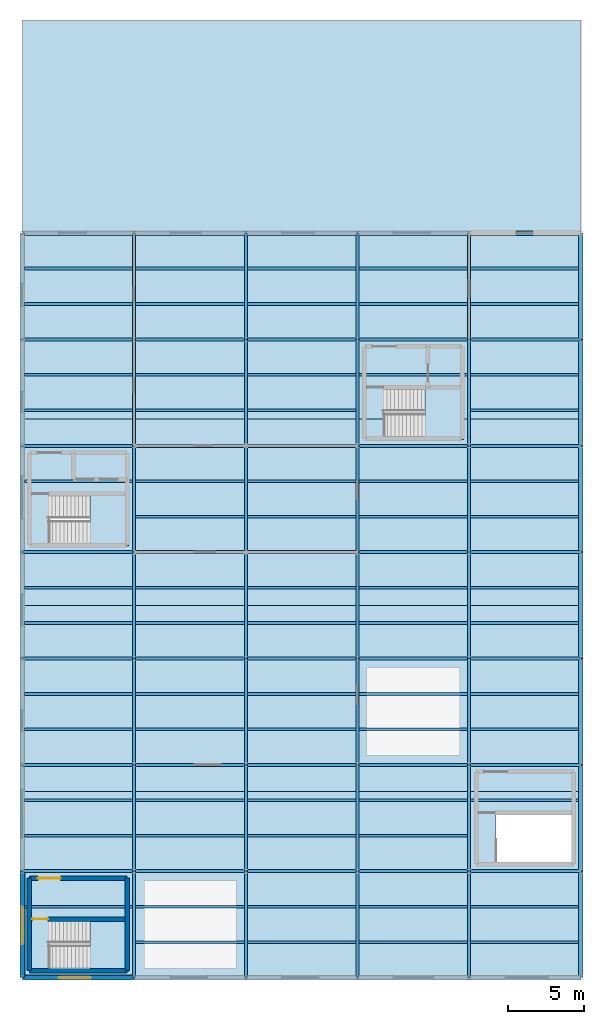
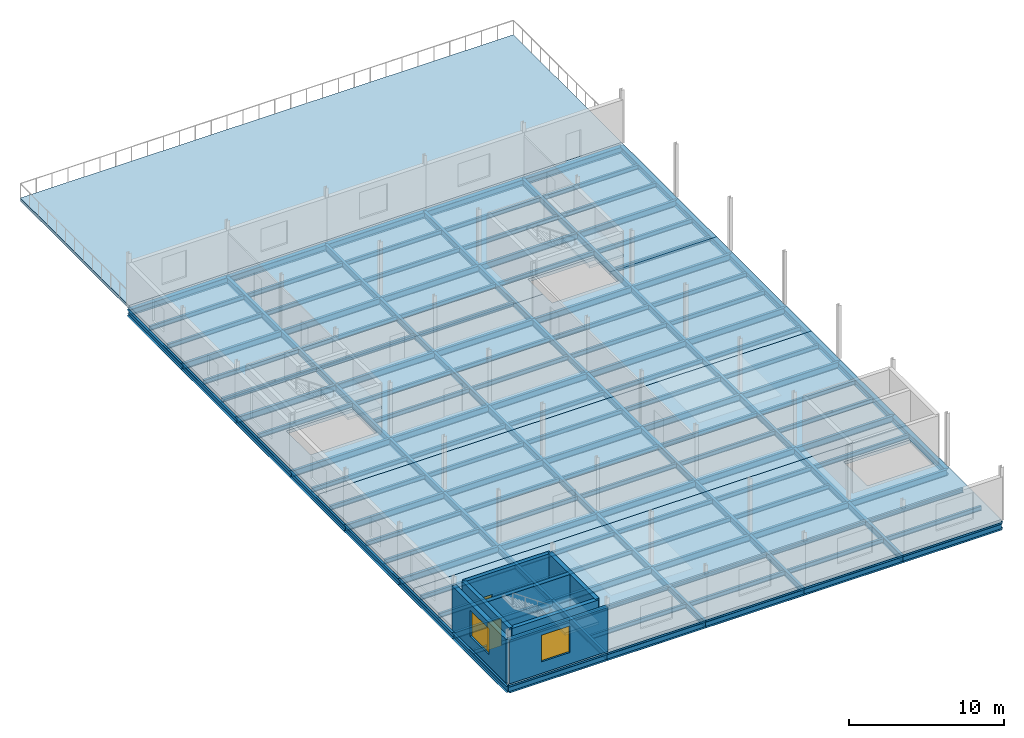
# One storey, part 6 of 9: 148 beams, 8 slabs, 7 walls, 2 doors, 2 windows, 4 openings, 3 elements without a shape of their own.
"""IFC4 building model written with IfcOpenShell, lengths in metres."""

from ifc_helpers import new_model, si_unit, direction, frame, frame_2d, origin, origin_with_axes, origin_2d, place, context, subcontext, project, spatial, polyline, rectangle, i_section, outline, extrude, material, layer, layer_set, material_profile, profile_set, type_object, element, fill, aggregate, save


model = new_model("IFC4")

# Units and contexts
model_context = context("Model", 3, precision=1e-05, world=origin(), true_north=direction((0.0, 1.0)))
body_context = subcontext(model_context, "Body", "Model", "MODEL_VIEW")
ifc_project = project(units=[si_unit("LENGTHUNIT", "METRE"), si_unit("AREAUNIT", "SQUARE_METRE"), si_unit("VOLUMEUNIT", "CUBIC_METRE"), si_unit("PLANEANGLEUNIT", "RADIAN"), si_unit("MASSUNIT", "GRAM", prefix="KILO")], contexts=[model_context])

# Site, building, storey
site_placement = place(None, origin())
site = spatial("IfcSite", under=ifc_project, at=site_placement, CompositionType="ELEMENT")
building_placement = place(site_placement, origin())
building = spatial("IfcBuilding", under=site, at=building_placement, Name="Kazenagashi Tramway Depot", CompositionType="ELEMENT")
storey_placement = place(building_placement, frame((0.0, 0.0, 15.3)))
storey = spatial("IfcBuildingStorey", under=building, at=storey_placement, Name="L04", CompositionType="ELEMENT", Elevation=15.3)

# Beams
ifc_material_1 = material(Name="Steel SN490B", Category="steel")
ifc_material_profile_1 = material_profile(ifc_material_1, i_section(OverallWidth=0.199, OverallDepth=0.496, WebThickness=0.009, FlangeThickness=0.014, at=origin_2d()), Name="H-496x199x9x14")
ifc_profile_set_1 = profile_set([ifc_material_profile_1], Name="Steel SN490B")
beam_type_1 = type_object("IfcBeamType", Name="G-10", PredefinedType="BEAM", material=ifc_profile_set_1)
for number, where, z_axis, x_axis, name in (
    (1, (0.0, 7.0, -0.498), (1.0, 0.0, 0.0), (0.0, 1.0, 0.0), "Beam G-10 BM-0413"),
    (2, (7.35, 7.0, -0.498), (1.0, 0.0, 0.0), (0.0, 1.0, 0.0), "Beam G-10 BM-0414"),
    (3, (14.7, 7.0, -0.498), (1.0, 0.0, 0.0), (0.0, 1.0, 0.0), "Beam G-10 BM-0415"),
    (4, (22.05, 7.0, -0.498), (1.0, 0.0, 0.0), (0.0, 1.0, 0.0), "Beam G-10 BM-0416"),
    (5, (29.4, 7.0, -0.498), (1.0, 0.0, 0.0), (0.0, 1.0, 0.0), "Beam G-10 BM-0417"),
    (6, (0.0, 14.0, -0.498), (1.0, 0.0, 0.0), (0.0, 1.0, 0.0), "Beam G-10 BM-0418"),
    (7, (7.35, 14.0, -0.498), (1.0, 0.0, 0.0), (0.0, 1.0, 0.0), "Beam G-10 BM-0419"),
    (8, (14.7, 14.0, -0.498), (1.0, 0.0, 0.0), (0.0, 1.0, 0.0), "Beam G-10 BM-0420"),
    (9, (22.05, 14.0, -0.498), (1.0, 0.0, 0.0), (0.0, 1.0, 0.0), "Beam G-10 BM-0421"),
    (10, (29.4, 14.0, -0.498), (1.0, 0.0, 0.0), (0.0, 1.0, 0.0), "Beam G-10 BM-0422"),
    (11, (0.0, 21.0, -0.498), (1.0, 0.0, 0.0), (0.0, 1.0, 0.0), "Beam G-10 BM-0423"),
    (12, (7.35, 21.0, -0.498), (1.0, 0.0, 0.0), (0.0, 1.0, 0.0), "Beam G-10 BM-0424"),
    (13, (14.7, 21.0, -0.498), (1.0, 0.0, 0.0), (0.0, 1.0, 0.0), "Beam G-10 BM-0425"),
    (14, (22.05, 21.0, -0.498), (1.0, 0.0, 0.0), (0.0, 1.0, 0.0), "Beam G-10 BM-0426"),
    (15, (29.4, 21.0, -0.498), (1.0, 0.0, 0.0), (0.0, 1.0, 0.0), "Beam G-10 BM-0427"),
    (16, (0.0, 28.0, -0.498), (1.0, 0.0, 0.0), (0.0, 1.0, 0.0), "Beam G-10 BM-0428"),
    (17, (7.35, 28.0, -0.498), (1.0, 0.0, 0.0), (0.0, 1.0, 0.0), "Beam G-10 BM-0429"),
    (18, (14.7, 28.0, -0.498), (1.0, 0.0, 0.0), (0.0, 1.0, 0.0), "Beam G-10 BM-0430"),
    (19, (22.05, 28.0, -0.498), (1.0, 0.0, 0.0), (0.0, 1.0, 0.0), "Beam G-10 BM-0431"),
    (20, (29.4, 28.0, -0.498), (1.0, 0.0, 0.0), (0.0, 1.0, 0.0), "Beam G-10 BM-0432"),
    (21, (0.0, 35.0, -0.498), (1.0, 0.0, 0.0), (0.0, 1.0, 0.0), "Beam G-10 BM-0433"),
    (22, (7.35, 35.0, -0.498), (1.0, 0.0, 0.0), (0.0, 1.0, 0.0), "Beam G-10 BM-0434"),
    (23, (14.7, 35.0, -0.498), (1.0, 0.0, 0.0), (0.0, 1.0, 0.0), "Beam G-10 BM-0435"),
    (24, (22.05, 35.0, -0.498), (1.0, 0.0, 0.0), (0.0, 1.0, 0.0), "Beam G-10 BM-0436"),
    (25, (29.4, 35.0, -0.498), (1.0, 0.0, 0.0), (0.0, 1.0, 0.0), "Beam G-10 BM-0437"),
    (26, (0.0, 42.0, -0.498), (1.0, 0.0, 0.0), (0.0, 1.0, 0.0), "Beam G-10 BM-0438"),
    (27, (7.35, 42.0, -0.498), (1.0, 0.0, 0.0), (0.0, 1.0, 0.0), "Beam G-10 BM-0439"),
    (28, (14.7, 42.0, -0.498), (1.0, 0.0, 0.0), (0.0, 1.0, 0.0), "Beam G-10 BM-0440"),
    (29, (22.05, 42.0, -0.498), (1.0, 0.0, 0.0), (0.0, 1.0, 0.0), "Beam G-10 BM-0441"),
    (30, (29.4, 42.0, -0.498), (1.0, 0.0, 0.0), (0.0, 1.0, 0.0), "Beam G-10 BM-0442"),
):
    element("IfcBeam", number, at=place(storey_placement, frame(where, z_axis=z_axis, x_axis=x_axis)), inside=storey, type_object=beam_type_1, Name=name, PredefinedType="BEAM", context=body_context, shape_type="SweptSolid", body=[
        extrude(i_section(OverallWidth=0.199, OverallDepth=0.496, WebThickness=0.009, FlangeThickness=0.014, at=origin_2d()), origin(), (0.0, 0.0, 1.0), 7.35),
    ])
for number, where, z_axis, x_axis, name in (
    (31, (7.35, 0.0, -0.498), (0.0, 1.0, 0.0), (-1.0, 0.0, 0.0), "Beam G-10 BM-0467"),
    (32, (7.35, 7.0, -0.498), (0.0, 1.0, 0.0), (-1.0, 0.0, 0.0), "Beam G-10 BM-0470"),
    (33, (7.35, 14.0, -0.498), (0.0, 1.0, 0.0), (-1.0, 0.0, 0.0), "Beam G-10 BM-0473"),
    (34, (7.35, 21.0, -0.498), (0.0, 1.0, 0.0), (-1.0, 0.0, 0.0), "Beam G-10 BM-0476"),
    (35, (7.35, 28.0, -0.498), (0.0, 1.0, 0.0), (-1.0, 0.0, 0.0), "Beam G-10 BM-0479"),
    (36, (7.35, 35.0, -0.498), (0.0, 1.0, 0.0), (-1.0, 0.0, 0.0), "Beam G-10 BM-0482"),
    (37, (7.35, 42.0, -0.498), (0.0, 1.0, 0.0), (-1.0, 0.0, 0.0), "Beam G-10 BM-0485"),
    (38, (14.7, 0.0, -0.498), (0.0, 1.0, 0.0), (-1.0, 0.0, 0.0), "Beam G-10 BM-0488"),
    (39, (14.7, 7.0, -0.498), (0.0, 1.0, 0.0), (-1.0, 0.0, 0.0), "Beam G-10 BM-0491"),
    (40, (14.7, 14.0, -0.498), (0.0, 1.0, 0.0), (-1.0, 0.0, 0.0), "Beam G-10 BM-0494"),
    (41, (14.7, 21.0, -0.498), (0.0, 1.0, 0.0), (-1.0, 0.0, 0.0), "Beam G-10 BM-0497"),
    (42, (14.7, 28.0, -0.498), (0.0, 1.0, 0.0), (-1.0, 0.0, 0.0), "Beam G-10 BM-0500"),
    (43, (14.7, 35.0, -0.498), (0.0, 1.0, 0.0), (-1.0, 0.0, 0.0), "Beam G-10 BM-0503"),
    (44, (14.7, 42.0, -0.498), (0.0, 1.0, 0.0), (-1.0, 0.0, 0.0), "Beam G-10 BM-0506"),
    (45, (22.05, 0.0, -0.498), (0.0, 1.0, 0.0), (-1.0, 0.0, 0.0), "Beam G-10 BM-0509"),
    (46, (22.05, 7.0, -0.498), (0.0, 1.0, 0.0), (-1.0, 0.0, 0.0), "Beam G-10 BM-0512"),
    (47, (22.05, 14.0, -0.498), (0.0, 1.0, 0.0), (-1.0, 0.0, 0.0), "Beam G-10 BM-0515"),
    (48, (22.05, 21.0, -0.498), (0.0, 1.0, 0.0), (-1.0, 0.0, 0.0), "Beam G-10 BM-0518"),
    (49, (22.05, 28.0, -0.498), (0.0, 1.0, 0.0), (-1.0, 0.0, 0.0), "Beam G-10 BM-0521"),
    (50, (22.05, 35.0, -0.498), (0.0, 1.0, 0.0), (-1.0, 0.0, 0.0), "Beam G-10 BM-0524"),
    (51, (22.05, 42.0, -0.498), (0.0, 1.0, 0.0), (-1.0, 0.0, 0.0), "Beam G-10 BM-0526"),
    (52, (29.4, 0.0, -0.498), (0.0, 1.0, 0.0), (-1.0, 0.0, 0.0), "Beam G-10 BM-0529"),
    (53, (29.4, 7.0, -0.498), (0.0, 1.0, 0.0), (-1.0, 0.0, 0.0), "Beam G-10 BM-0532"),
    (54, (29.4, 14.0, -0.498), (0.0, 1.0, 0.0), (-1.0, 0.0, 0.0), "Beam G-10 BM-0534"),
    (55, (29.4, 21.0, -0.498), (0.0, 1.0, 0.0), (-1.0, 0.0, 0.0), "Beam G-10 BM-0537"),
    (56, (29.4, 28.0, -0.498), (0.0, 1.0, 0.0), (-1.0, 0.0, 0.0), "Beam G-10 BM-0540"),
    (57, (29.4, 35.0, -0.498), (0.0, 1.0, 0.0), (-1.0, 0.0, 0.0), "Beam G-10 BM-0543"),
    (58, (29.4, 42.0, -0.498), (0.0, 1.0, 0.0), (-1.0, 0.0, 0.0), "Beam G-10 BM-0546"),
):
    element("IfcBeam", number, at=place(storey_placement, frame(where, z_axis=z_axis, x_axis=x_axis)), inside=storey, type_object=beam_type_1, Name=name, PredefinedType="BEAM", context=body_context, shape_type="SweptSolid", body=[
        extrude(i_section(OverallWidth=0.199, OverallDepth=0.496, WebThickness=0.009, FlangeThickness=0.014, at=origin_2d()), origin(), (0.0, 0.0, 1.0), 7.0),
    ])
ifc_material_2 = material(Name="Steel SN400B", Category="steel")
ifc_material_profile_2 = material_profile(ifc_material_2, i_section(OverallWidth=0.174, OverallDepth=0.346, WebThickness=0.006, FlangeThickness=0.009, at=origin_2d()), Name="H-346x174x6x9")
ifc_profile_set_2 = profile_set([ifc_material_profile_2], Name="Steel SN400B")
beam_type_2 = type_object("IfcBeamType", Name="J-06", PredefinedType="JOIST", material=ifc_profile_set_2)
for number, where, z_axis, x_axis, name in (
    (59, (0.15, 4.667, -0.423), (1.0, 0.0, 0.0), (0.0, 1.0, 0.0), "Beam J-06 BM-0449"),
    (60, (0.15, 9.333, -0.423), (1.0, 0.0, 0.0), (0.0, 1.0, 0.0), "Beam J-06 BM-0451"),
    (61, (0.15, 11.667, -0.423), (1.0, 0.0, 0.0), (0.0, 1.0, 0.0), "Beam J-06 BM-0452"),
    (62, (0.15, 16.333, -0.423), (1.0, 0.0, 0.0), (0.0, 1.0, 0.0), "Beam J-06 BM-0454"),
    (63, (0.15, 18.667, -0.423), (1.0, 0.0, 0.0), (0.0, 1.0, 0.0), "Beam J-06 BM-0455"),
    (64, (0.15, 23.333, -0.423), (1.0, 0.0, 0.0), (0.0, 1.0, 0.0), "Beam J-06 BM-0457"),
    (65, (0.15, 25.667, -0.423), (1.0, 0.0, 0.0), (0.0, 1.0, 0.0), "Beam J-06 BM-0458"),
    (66, (0.15, 32.667, -0.423), (1.0, 0.0, 0.0), (0.0, 1.0, 0.0), "Beam J-06 BM-0460"),
    (67, (0.15, 37.333, -0.423), (1.0, 0.0, 0.0), (0.0, 1.0, 0.0), "Beam J-06 BM-0462"),
    (68, (0.15, 39.667, -0.423), (1.0, 0.0, 0.0), (0.0, 1.0, 0.0), "Beam J-06 BM-0463"),
    (69, (0.15, 44.333, -0.423), (1.0, 0.0, 0.0), (0.0, 1.0, 0.0), "Beam J-06 BM-0465"),
    (70, (0.15, 46.667, -0.423), (1.0, 0.0, 0.0), (0.0, 1.0, 0.0), "Beam J-06 BM-0466"),
):
    element("IfcBeam", number, at=place(storey_placement, frame(where, z_axis=z_axis, x_axis=x_axis)), inside=storey, type_object=beam_type_2, Name=name, PredefinedType="JOIST", context=body_context, shape_type="SweptSolid", body=[
        extrude(i_section(OverallWidth=0.174, OverallDepth=0.346, WebThickness=0.006, FlangeThickness=0.009, at=origin_2d()), origin(), (0.0, 0.0, 1.0), 7.101),
    ])
for number, where, z_axis, x_axis, name in (
    (71, (7.449, 2.333, -0.423), (1.0, 0.0, 0.0), (0.0, 1.0, 0.0), "Beam J-06 BM-0468"),
    (72, (7.449, 4.667, -0.423), (1.0, 0.0, 0.0), (0.0, 1.0, 0.0), "Beam J-06 BM-0469"),
    (73, (7.449, 9.333, -0.423), (1.0, 0.0, 0.0), (0.0, 1.0, 0.0), "Beam J-06 BM-0471"),
    (74, (7.449, 11.667, -0.423), (1.0, 0.0, 0.0), (0.0, 1.0, 0.0), "Beam J-06 BM-0472"),
    (75, (7.449, 16.333, -0.423), (1.0, 0.0, 0.0), (0.0, 1.0, 0.0), "Beam J-06 BM-0474"),
    (76, (7.449, 18.667, -0.423), (1.0, 0.0, 0.0), (0.0, 1.0, 0.0), "Beam J-06 BM-0475"),
    (77, (7.449, 23.333, -0.423), (1.0, 0.0, 0.0), (0.0, 1.0, 0.0), "Beam J-06 BM-0477"),
    (78, (7.449, 25.667, -0.423), (1.0, 0.0, 0.0), (0.0, 1.0, 0.0), "Beam J-06 BM-0478"),
    (79, (7.449, 30.333, -0.423), (1.0, 0.0, 0.0), (0.0, 1.0, 0.0), "Beam J-06 BM-0480"),
    (80, (7.449, 32.667, -0.423), (1.0, 0.0, 0.0), (0.0, 1.0, 0.0), "Beam J-06 BM-0481"),
    (81, (7.449, 37.333, -0.423), (1.0, 0.0, 0.0), (0.0, 1.0, 0.0), "Beam J-06 BM-0483"),
    (82, (7.449, 39.667, -0.423), (1.0, 0.0, 0.0), (0.0, 1.0, 0.0), "Beam J-06 BM-0484"),
    (83, (7.449, 44.333, -0.423), (1.0, 0.0, 0.0), (0.0, 1.0, 0.0), "Beam J-06 BM-0486"),
    (84, (7.449, 46.667, -0.423), (1.0, 0.0, 0.0), (0.0, 1.0, 0.0), "Beam J-06 BM-0487"),
    (85, (14.799, 2.333, -0.423), (1.0, 0.0, 0.0), (0.0, 1.0, 0.0), "Beam J-06 BM-0489"),
    (86, (14.799, 4.667, -0.423), (1.0, 0.0, 0.0), (0.0, 1.0, 0.0), "Beam J-06 BM-0490"),
    (87, (14.799, 9.333, -0.423), (1.0, 0.0, 0.0), (0.0, 1.0, 0.0), "Beam J-06 BM-0492"),
    (88, (14.799, 11.667, -0.423), (1.0, 0.0, 0.0), (0.0, 1.0, 0.0), "Beam J-06 BM-0493"),
    (89, (14.799, 16.333, -0.423), (1.0, 0.0, 0.0), (0.0, 1.0, 0.0), "Beam J-06 BM-0495"),
    (90, (14.799, 18.667, -0.423), (1.0, 0.0, 0.0), (0.0, 1.0, 0.0), "Beam J-06 BM-0496"),
    (91, (14.799, 23.333, -0.423), (1.0, 0.0, 0.0), (0.0, 1.0, 0.0), "Beam J-06 BM-0498"),
    (92, (14.799, 25.667, -0.423), (1.0, 0.0, 0.0), (0.0, 1.0, 0.0), "Beam J-06 BM-0499"),
    (93, (14.799, 30.333, -0.423), (1.0, 0.0, 0.0), (0.0, 1.0, 0.0), "Beam J-06 BM-0501"),
    (94, (14.799, 32.667, -0.423), (1.0, 0.0, 0.0), (0.0, 1.0, 0.0), "Beam J-06 BM-0502"),
    (95, (14.799, 37.333, -0.423), (1.0, 0.0, 0.0), (0.0, 1.0, 0.0), "Beam J-06 BM-0504"),
    (96, (14.799, 39.667, -0.423), (1.0, 0.0, 0.0), (0.0, 1.0, 0.0), "Beam J-06 BM-0505"),
    (97, (14.799, 44.333, -0.423), (1.0, 0.0, 0.0), (0.0, 1.0, 0.0), "Beam J-06 BM-0507"),
    (98, (14.799, 46.667, -0.423), (1.0, 0.0, 0.0), (0.0, 1.0, 0.0), "Beam J-06 BM-0508"),
    (99, (22.149, 2.333, -0.423), (1.0, 0.0, 0.0), (0.0, 1.0, 0.0), "Beam J-06 BM-0510"),
    (100, (22.149, 4.667, -0.423), (1.0, 0.0, 0.0), (0.0, 1.0, 0.0), "Beam J-06 BM-0511"),
    (101, (22.149, 9.333, -0.423), (1.0, 0.0, 0.0), (0.0, 1.0, 0.0), "Beam J-06 BM-0513"),
    (102, (22.149, 11.667, -0.423), (1.0, 0.0, 0.0), (0.0, 1.0, 0.0), "Beam J-06 BM-0514"),
    (103, (22.149, 16.333, -0.423), (1.0, 0.0, 0.0), (0.0, 1.0, 0.0), "Beam J-06 BM-0516"),
    (104, (22.149, 18.667, -0.423), (1.0, 0.0, 0.0), (0.0, 1.0, 0.0), "Beam J-06 BM-0517"),
    (105, (22.149, 23.333, -0.423), (1.0, 0.0, 0.0), (0.0, 1.0, 0.0), "Beam J-06 BM-0519"),
    (106, (22.149, 25.667, -0.423), (1.0, 0.0, 0.0), (0.0, 1.0, 0.0), "Beam J-06 BM-0520"),
    (107, (22.149, 30.333, -0.423), (1.0, 0.0, 0.0), (0.0, 1.0, 0.0), "Beam J-06 BM-0522"),
    (108, (22.149, 32.667, -0.423), (1.0, 0.0, 0.0), (0.0, 1.0, 0.0), "Beam J-06 BM-0523"),
    (109, (22.149, 39.667, -0.423), (1.0, 0.0, 0.0), (0.0, 1.0, 0.0), "Beam J-06 BM-0525"),
    (110, (22.149, 44.333, -0.423), (1.0, 0.0, 0.0), (0.0, 1.0, 0.0), "Beam J-06 BM-0527"),
    (111, (22.149, 46.667, -0.423), (1.0, 0.0, 0.0), (0.0, 1.0, 0.0), "Beam J-06 BM-0528"),
):
    element("IfcBeam", number, at=place(storey_placement, frame(where, z_axis=z_axis, x_axis=x_axis)), inside=storey, type_object=beam_type_2, Name=name, PredefinedType="JOIST", context=body_context, shape_type="SweptSolid", body=[
        extrude(i_section(OverallWidth=0.174, OverallDepth=0.346, WebThickness=0.006, FlangeThickness=0.009, at=origin_2d()), origin(), (0.0, 0.0, 1.0), 7.152),
    ])
for number, where, z_axis, x_axis, name in (
    (112, (29.499, 2.333, -0.423), (1.0, 0.0, 0.0), (0.0, 1.0, 0.0), "Beam J-06 BM-0530"),
    (113, (29.499, 4.667, -0.423), (1.0, 0.0, 0.0), (0.0, 1.0, 0.0), "Beam J-06 BM-0531"),
    (114, (29.499, 11.667, -0.423), (1.0, 0.0, 0.0), (0.0, 1.0, 0.0), "Beam J-06 BM-0533"),
    (115, (29.499, 16.333, -0.423), (1.0, 0.0, 0.0), (0.0, 1.0, 0.0), "Beam J-06 BM-0535"),
    (116, (29.499, 18.667, -0.423), (1.0, 0.0, 0.0), (0.0, 1.0, 0.0), "Beam J-06 BM-0536"),
    (117, (29.499, 23.333, -0.423), (1.0, 0.0, 0.0), (0.0, 1.0, 0.0), "Beam J-06 BM-0538"),
    (118, (29.499, 25.667, -0.423), (1.0, 0.0, 0.0), (0.0, 1.0, 0.0), "Beam J-06 BM-0539"),
    (119, (29.499, 30.333, -0.423), (1.0, 0.0, 0.0), (0.0, 1.0, 0.0), "Beam J-06 BM-0541"),
    (120, (29.499, 32.667, -0.423), (1.0, 0.0, 0.0), (0.0, 1.0, 0.0), "Beam J-06 BM-0542"),
    (121, (29.499, 37.333, -0.423), (1.0, 0.0, 0.0), (0.0, 1.0, 0.0), "Beam J-06 BM-0544"),
    (122, (29.499, 39.667, -0.423), (1.0, 0.0, 0.0), (0.0, 1.0, 0.0), "Beam J-06 BM-0545"),
    (123, (29.499, 44.333, -0.423), (1.0, 0.0, 0.0), (0.0, 1.0, 0.0), "Beam J-06 BM-0547"),
    (124, (29.499, 46.667, -0.423), (1.0, 0.0, 0.0), (0.0, 1.0, 0.0), "Beam J-06 BM-0548"),
):
    element("IfcBeam", number, at=place(storey_placement, frame(where, z_axis=z_axis, x_axis=x_axis)), inside=storey, type_object=beam_type_2, Name=name, PredefinedType="JOIST", context=body_context, shape_type="SweptSolid", body=[
        extrude(i_section(OverallWidth=0.174, OverallDepth=0.346, WebThickness=0.006, FlangeThickness=0.009, at=origin_2d()), origin(), (0.0, 0.0, 1.0), 7.101),
    ])
ifc_material_profile_3 = material_profile(ifc_material_1, i_section(OverallWidth=0.3, OverallDepth=0.488, WebThickness=0.011, FlangeThickness=0.018, at=origin_2d()), Name="H-488x300x11x18")
ifc_profile_set_3 = profile_set([ifc_material_profile_3], Name="Steel SN490B")
beam_type_3 = type_object("IfcBeamType", Name="SP-02", PredefinedType="SPANDREL", material=ifc_profile_set_3)
for number, where, z_axis, x_axis, name in (
    (125, (0.0, 0.0, -0.494), (1.0, 0.0, 0.0), (0.0, 1.0, 0.0), "Beam SP-02 BM-0408"),
    (126, (7.35, 0.0, -0.494), (1.0, 0.0, 0.0), (0.0, 1.0, 0.0), "Beam SP-02 BM-0409"),
    (127, (14.7, 0.0, -0.494), (1.0, 0.0, 0.0), (0.0, 1.0, 0.0), "Beam SP-02 BM-0410"),
    (128, (22.05, 0.0, -0.494), (1.0, 0.0, 0.0), (0.0, 1.0, 0.0), "Beam SP-02 BM-0411"),
    (129, (29.4, 0.0, -0.494), (1.0, 0.0, 0.0), (0.0, 1.0, 0.0), "Beam SP-02 BM-0412"),
    (130, (0.0, 49.0, -0.494), (1.0, 0.0, 0.0), (0.0, 1.0, 0.0), "Beam SP-02 BM-0443"),
    (131, (7.35, 49.0, -0.494), (1.0, 0.0, 0.0), (0.0, 1.0, 0.0), "Beam SP-02 BM-0444"),
    (132, (14.7, 49.0, -0.494), (1.0, 0.0, 0.0), (0.0, 1.0, 0.0), "Beam SP-02 BM-0445"),
    (133, (22.05, 49.0, -0.494), (1.0, 0.0, 0.0), (0.0, 1.0, 0.0), "Beam SP-02 BM-0446"),
    (134, (29.4, 49.0, -0.494), (1.0, 0.0, 0.0), (0.0, 1.0, 0.0), "Beam SP-02 BM-0447"),
):
    element("IfcBeam", number, at=place(storey_placement, frame(where, z_axis=z_axis, x_axis=x_axis)), inside=storey, type_object=beam_type_3, Name=name, PredefinedType="SPANDREL", context=body_context, shape_type="SweptSolid", body=[
        extrude(i_section(OverallWidth=0.3, OverallDepth=0.488, WebThickness=0.011, FlangeThickness=0.018, at=origin_2d()), origin(), (0.0, 0.0, 1.0), 7.35),
    ])
for number, where, z_axis, x_axis, name in (
    (135, (0.0, 0.0, -0.494), (0.0, 1.0, 0.0), (-1.0, 0.0, 0.0), "Beam SP-02 BM-0448"),
    (136, (0.0, 7.0, -0.494), (0.0, 1.0, 0.0), (-1.0, 0.0, 0.0), "Beam SP-02 BM-0450"),
    (137, (0.0, 14.0, -0.494), (0.0, 1.0, 0.0), (-1.0, 0.0, 0.0), "Beam SP-02 BM-0453"),
    (138, (0.0, 21.0, -0.494), (0.0, 1.0, 0.0), (-1.0, 0.0, 0.0), "Beam SP-02 BM-0456"),
    (139, (0.0, 28.0, -0.494), (0.0, 1.0, 0.0), (-1.0, 0.0, 0.0), "Beam SP-02 BM-0459"),
    (140, (0.0, 35.0, -0.494), (0.0, 1.0, 0.0), (-1.0, 0.0, 0.0), "Beam SP-02 BM-0461"),
    (141, (0.0, 42.0, -0.494), (0.0, 1.0, 0.0), (-1.0, 0.0, 0.0), "Beam SP-02 BM-0464"),
    (142, (36.75, 0.0, -0.494), (0.0, 1.0, 0.0), (-1.0, 0.0, 0.0), "Beam SP-02 BM-0549"),
    (143, (36.75, 7.0, -0.494), (0.0, 1.0, 0.0), (-1.0, 0.0, 0.0), "Beam SP-02 BM-0550"),
    (144, (36.75, 14.0, -0.494), (0.0, 1.0, 0.0), (-1.0, 0.0, 0.0), "Beam SP-02 BM-0551"),
    (145, (36.75, 21.0, -0.494), (0.0, 1.0, 0.0), (-1.0, 0.0, 0.0), "Beam SP-02 BM-0552"),
    (146, (36.75, 28.0, -0.494), (0.0, 1.0, 0.0), (-1.0, 0.0, 0.0), "Beam SP-02 BM-0553"),
    (147, (36.75, 35.0, -0.494), (0.0, 1.0, 0.0), (-1.0, 0.0, 0.0), "Beam SP-02 BM-0554"),
    (148, (36.75, 42.0, -0.494), (0.0, 1.0, 0.0), (-1.0, 0.0, 0.0), "Beam SP-02 BM-0555"),
):
    element("IfcBeam", number, at=place(storey_placement, frame(where, z_axis=z_axis, x_axis=x_axis)), inside=storey, type_object=beam_type_3, Name=name, PredefinedType="SPANDREL", context=body_context, shape_type="SweptSolid", body=[
        extrude(i_section(OverallWidth=0.3, OverallDepth=0.488, WebThickness=0.011, FlangeThickness=0.018, at=origin_2d()), origin(), (0.0, 0.0, 1.0), 7.0),
    ])

# Slabs
ifc_material_3 = material(Name="Concrete Fc36", Category="concrete")
ifc_layer_1 = layer(ifc_material_3, 0.25)
ifc_layer_set_1 = layer_set([ifc_layer_1], Name="Concrete Fc36")
slab_type_1 = type_object("IfcSlabType", Name="SL-04", PredefinedType="FLOOR", material=ifc_layer_set_1)
slab_1_placement = place(storey_placement, frame((0.0, 0.0, -0.25)))
element("IfcSlab", 149, at=slab_1_placement, inside=storey, type_object=slab_type_1, Name="Simulator L04 Slab 1 SLAB-095", PredefinedType="FLOOR", context=body_context, shape_type="SweptSolid", body=[
    extrude(outline(polyline([(0.0, 12.25), (36.75, 12.25), (36.75, 0.0), (0.0, 0.0), (0.0, 12.25)]), holes=[polyline([(6.74, 0.61), (6.74, 3.7), (1.76, 3.7), (1.76, 0.61), (6.74, 0.61)]), polyline([(36.14, 7.61), (36.14, 10.7), (31.16, 10.7), (31.16, 7.61), (36.14, 7.61)])]), origin(), (0.0, 0.0, 1.0), 0.25),
])
slab_2_placement = place(storey_placement, frame((0.0, 0.0, -0.25)))
element("IfcSlab", 150, at=slab_2_placement, inside=storey, type_object=slab_type_1, Name="Simulator L04 Slab 2 SLAB-096", PredefinedType="FLOOR", context=body_context, shape_type="SweptSolid", body=[
    extrude(outline(polyline([(0.0, 12.25), (36.75, 12.25), (36.75, 24.5), (0.0, 24.5), (0.0, 12.25)])), origin(), (0.0, 0.0, 1.0), 0.25),
])
slab_3_placement = place(storey_placement, frame((0.0, 0.0, -0.25)))
element("IfcSlab", 151, at=slab_3_placement, inside=storey, type_object=slab_type_1, Name="Simulator L04 Slab 3 SLAB-097", PredefinedType="FLOOR", context=body_context, shape_type="SweptSolid", body=[
    extrude(outline(polyline([(36.75, 36.75), (36.75, 24.5), (0.0, 24.5), (0.0, 36.75), (23.81, 36.75), (23.81, 35.61), (28.79, 35.61), (28.79, 36.75), (36.75, 36.75)]), holes=[polyline([(6.74, 28.61), (6.74, 31.7), (1.76, 31.7), (1.76, 28.61), (6.74, 28.61)])]), origin(), (0.0, 0.0, 1.0), 0.25),
])
slab_4_placement = place(storey_placement, frame((0.0, 0.0, -0.25)))
element("IfcSlab", 152, at=slab_4_placement, inside=storey, type_object=slab_type_1, Name="Simulator L04 Slab 4 SLAB-098", PredefinedType="FLOOR", context=body_context, shape_type="SweptSolid", body=[
    extrude(outline(polyline([(0.0, 36.75), (0.0, 49.0), (36.75, 49.0), (36.75, 36.75), (28.79, 36.75), (28.79, 38.7), (23.81, 38.7), (23.81, 36.75), (0.0, 36.75)])), origin(), (0.0, 0.0, 1.0), 0.25),
])
ifc_layer_2 = layer(ifc_material_3, 0.24)
ifc_layer_set_2 = layer_set([ifc_layer_2], Name="Concrete Fc36")
slab_type_2 = type_object("IfcSlabType", Name="SL-09", PredefinedType="FLOOR", material=ifc_layer_set_2)
slab_5_placement = place(storey_placement, frame((0.0, 0.0, -0.24)))
element("IfcSlab", 153, at=slab_5_placement, inside=storey, type_object=slab_type_2, Name="L04 North Planted Terrace SLAB-099", PredefinedType="FLOOR", context=body_context, shape_type="SweptSolid", body=[
    extrude(outline(polyline([(0.0, 49.0), (36.75, 49.0), (36.75, 63.0), (0.0, 63.0), (0.0, 49.0)])), origin(), (0.0, 0.0, 1.0), 0.24),
])

# Stair, slab
stair_type = type_object("IfcStairType", Name="ST-T4", PredefinedType="USERDEFINED", material=ifc_material_3)
stair_1_placement = place(storey_placement, origin())
stair_1 = element("IfcStair", 154, at=stair_1_placement, inside=storey, type_object=stair_type, Name="Enclosed Escape Stair ST-04", ObjectType="TWO_RETURN_STAIR", PredefinedType="USERDEFINED")
ifc_layer_3 = layer(ifc_material_3, 0.195)
ifc_layer_set_3 = layer_set([ifc_layer_3], Name="Concrete Fc36")
slab_type_3 = type_object("IfcSlabType", Name="SL-LD1", PredefinedType="LANDING", material=ifc_layer_set_3)
slab_6_placement = place(storey_placement, frame((0.0, 0.0, 1.905)))
slab_6 = element("IfcSlab", 155, at=slab_6_placement, type_object=slab_type_3, Name="ST-04 landing 1", PredefinedType="LANDING", context=body_context, shape_type="SweptSolid", body=[
    extrude(outline(polyline([(4.452, 28.41), (6.99, 28.41), (6.99, 31.9), (4.452, 31.9), (4.452, 28.41)])), origin(), (0.0, 0.0, 1.0), 0.195),
])
aggregate(stair_1, [slab_6])

stair_2_placement = place(storey_placement, origin())
stair_2 = element("IfcStair", 156, at=stair_2_placement, inside=storey, type_object=stair_type, Name="Enclosed Escape Stair ST-08", ObjectType="TWO_RETURN_STAIR", PredefinedType="USERDEFINED")
slab_7_placement = place(storey_placement, frame((0.0, 0.0, 1.905)))
slab_7 = element("IfcSlab", 157, at=slab_7_placement, type_object=slab_type_3, Name="ST-08 landing 1", PredefinedType="LANDING", context=body_context, shape_type="SweptSolid", body=[
    extrude(outline(polyline([(26.502, 35.41), (29.04, 35.41), (29.04, 38.9), (26.502, 38.9), (26.502, 35.41)])), origin(), (0.0, 0.0, 1.0), 0.195),
])
aggregate(stair_2, [slab_7])

stair_3_placement = place(storey_placement, origin())
stair_3 = element("IfcStair", 158, at=stair_3_placement, inside=storey, type_object=stair_type, Name="Enclosed Escape Stair ST-15", ObjectType="TWO_RETURN_STAIR", PredefinedType="USERDEFINED")
slab_8_placement = place(storey_placement, frame((0.0, 0.0, 1.905)))
slab_8 = element("IfcSlab", 159, at=slab_8_placement, type_object=slab_type_3, Name="ST-15 landing 1", PredefinedType="LANDING", context=body_context, shape_type="SweptSolid", body=[
    extrude(outline(polyline([(4.452, 0.41), (6.99, 0.41), (6.99, 3.9), (4.452, 3.9), (4.452, 0.41)])), origin(), (0.0, 0.0, 1.0), 0.195),
])
aggregate(stair_3, [slab_8])

# Wall, opening, window
ifc_material_4 = material(Name="Clay Brick Masonry JIS R 1250 Class 1 (20 MPa)", Category="masonry")
ifc_layer_4 = layer(ifc_material_4, 0.32)
ifc_layer_set_4 = layer_set([ifc_layer_4], Name="Clay Brick Masonry JIS R 1250 Class 1 (20 MPa)")
wall_type_1 = type_object("IfcWallType", Name="W-BK3", PredefinedType="SOLIDWALL", material=ifc_layer_set_4)
wall_1_placement = place(storey_placement, frame((0.0, 0.0, 0.0), z_axis=(0.0, 0.0, 1.0), x_axis=(0.0, 1.0, 0.0)))
wall_1 = element("IfcWall", 160, at=wall_1_placement, inside=storey, type_object=wall_type_1, Name="Exterior Brick Wall W-BK3 EWALL-0202", PredefinedType="SOLIDWALL", context=body_context, shape_type="SweptSolid", body=[
    extrude(rectangle(XDim=7.0, YDim=0.32, at=frame_2d((3.5, 0.0))), origin(), (0.0, 0.0, 1.0), 3.45),
])
opening_1_placement = place(wall_1_placement, frame((2.2, 0.0, 0.9)))
opening_1 = element("IfcOpeningElement", 161, at=opening_1_placement, cuts=wall_1, Name="Opening WN-41", PredefinedType="OPENING", context=body_context, shape_type="SweptSolid", body=[
    extrude(rectangle(XDim=2.45, YDim=2.05, at=frame_2d((1.225, 1.025))), frame((0.0, 0.17, 0.0), z_axis=(0.0, -1.0, 0.0), x_axis=(1.0, 0.0, 0.0)), (0.0, 0.0, 1.0), 0.34),
])
ifc_material_5 = material(Name="Anodised Aluminium and Tempered Low-E Glass", Category="aluminium")
window_type_1 = type_object("IfcWindowType", Name="WN-41", PartitioningType="SINGLE_PANEL", PredefinedType="WINDOW", material=ifc_material_5)
window_1_placement = place(opening_1_placement, origin())
window_1 = element("IfcWindow", 162, at=window_1_placement, inside=storey, type_object=window_type_1, Name="Window WN-41 WIN-0185", OverallHeight=2.05, OverallWidth=2.45, PartitioningType="SINGLE_PANEL", PredefinedType="WINDOW", context=body_context, shape_type="SweptSolid", body=[
    extrude(rectangle(XDim=2.45, YDim=2.05, at=frame_2d((1.225, 1.025))), frame((0.0, 0.03, 0.0), z_axis=(0.0, -1.0, 0.0), x_axis=(1.0, 0.0, 0.0)), (0.0, 0.0, 1.0), 0.06),
])
fill(opening_1, window_1)

wall_2_placement = place(storey_placement, origin_with_axes())
wall_2 = element("IfcWall", 163, at=wall_2_placement, inside=storey, type_object=wall_type_1, Name="Exterior Brick Wall W-BK3 EWALL-0250", PredefinedType="SOLIDWALL", context=body_context, shape_type="SweptSolid", body=[
    extrude(rectangle(XDim=7.35, YDim=0.32, at=frame_2d((3.675, 0.0))), origin(), (0.0, 0.0, 1.0), 3.45),
])
opening_2_placement = place(wall_2_placement, frame((2.4, 0.0, 0.9)))
opening_2 = element("IfcOpeningElement", 164, at=opening_2_placement, cuts=wall_2, Name="Opening WN-08", PredefinedType="OPENING", context=body_context, shape_type="SweptSolid", body=[
    extrude(rectangle(XDim=2.1, YDim=2.1, at=frame_2d((1.05, 1.05))), frame((0.0, 0.17, 0.0), z_axis=(0.0, -1.0, 0.0), x_axis=(1.0, 0.0, 0.0)), (0.0, 0.0, 1.0), 0.34),
])
window_type_2 = type_object("IfcWindowType", Name="WN-08", PartitioningType="SINGLE_PANEL", PredefinedType="WINDOW", material=ifc_material_5)
window_2_placement = place(opening_2_placement, origin())
window_2 = element("IfcWindow", 165, at=window_2_placement, inside=storey, type_object=window_type_2, Name="Window WN-08 WIN-0220", OverallHeight=2.1, OverallWidth=2.1, PartitioningType="SINGLE_PANEL", PredefinedType="WINDOW", context=body_context, shape_type="SweptSolid", body=[
    extrude(rectangle(XDim=2.1, YDim=2.1, at=frame_2d((1.05, 1.05))), frame((0.0, 0.03, 0.0), z_axis=(0.0, -1.0, 0.0), x_axis=(1.0, 0.0, 0.0)), (0.0, 0.0, 1.0), 0.06),
])
fill(opening_2, window_2)

# Wall
ifc_layer_5 = layer(ifc_material_3, 0.3)
ifc_layer_set_5 = layer_set([ifc_layer_5], Name="Concrete Fc36")
wall_type_2 = type_object("IfcWallType", Name="W-RC1", PredefinedType="SHEAR", material=ifc_layer_set_5)
wall_3_placement = place(storey_placement, frame((0.46, 0.46, 0.0), z_axis=(0.0, 0.0, 1.0), x_axis=(1.0, 0.0, 0.0)))
element("IfcWall", 166, at=wall_3_placement, inside=storey, type_object=wall_type_2, Name="Core Shear Wall W-RC1 IWALL-0113", PredefinedType="SHEAR", context=body_context, shape_type="SweptSolid", body=[
    extrude(rectangle(XDim=6.43, YDim=0.3, at=frame_2d((3.215, 0.0))), origin(), (0.0, 0.0, 1.0), 3.92),
])

# Wall, opening, door
wall_4_placement = place(storey_placement, frame((0.46, 6.54, 0.0), z_axis=(0.0, 0.0, 1.0), x_axis=(1.0, 0.0, 0.0)))
wall_4 = element("IfcWall", 167, at=wall_4_placement, inside=storey, type_object=wall_type_2, Name="Core Shear Wall W-RC1 IWALL-0114", PredefinedType="SHEAR", context=body_context, shape_type="SweptSolid", body=[
    extrude(rectangle(XDim=6.43, YDim=0.3, at=frame_2d((3.215, 0.0))), origin(), (0.0, 0.0, 1.0), 3.92),
])
opening_3_placement = place(wall_4_placement, frame((0.55, 0.0, 0.0)))
opening_3 = element("IfcOpeningElement", 168, at=opening_3_placement, cuts=wall_4, Name="Opening D-086", PredefinedType="OPENING", context=body_context, shape_type="SweptSolid", body=[
    extrude(rectangle(XDim=1.5, YDim=2.2, at=frame_2d((0.75, 1.1))), frame((0.0, 0.16, 0.0), z_axis=(0.0, -1.0, 0.0), x_axis=(1.0, 0.0, 0.0)), (0.0, 0.0, 1.0), 0.32),
])
ifc_material_6 = material(Name="Galvanised Fire-Rated Steel Door", Category="steel")
door_type_1 = type_object("IfcDoorType", Name="DT-05", OperationType="NOTDEFINED", PredefinedType="DOOR", material=ifc_material_6)
door_1_placement = place(opening_3_placement, origin())
door_1 = element("IfcDoor", 169, at=door_1_placement, inside=storey, type_object=door_type_1, Name="Interior Door D-086", OperationType="DOUBLE_DOOR_SINGLE_SWING", OverallHeight=2.2, OverallWidth=1.5, PredefinedType="DOOR", context=body_context, shape_type="SweptSolid", body=[
    extrude(rectangle(XDim=1.5, YDim=2.2, at=frame_2d((0.75, 1.1))), frame((0.0, 0.025, 0.0), z_axis=(0.0, -1.0, 0.0), x_axis=(1.0, 0.0, 0.0)), (0.0, 0.0, 1.0), 0.05),
])
fill(opening_3, door_1)

# Walls
for number, where, z_axis, x_axis, name in (
    (170, (0.46, 0.46, 0.0), (0.0, 0.0, 1.0), (0.0, 1.0, 0.0), "Core Shear Wall W-RC1 IWALL-0115"),
    (171, (6.89, 0.46, 0.0), (0.0, 0.0, 1.0), (0.0, 1.0, 0.0), "Core Shear Wall W-RC1 IWALL-0116"),
):
    element("IfcWall", number, at=place(storey_placement, frame(where, z_axis=z_axis, x_axis=x_axis)), inside=storey, type_object=wall_type_2, Name=name, PredefinedType="SHEAR", context=body_context, shape_type="SweptSolid", body=[
        extrude(rectangle(XDim=6.08, YDim=0.3, at=frame_2d((3.04, 0.0))), origin(), (0.0, 0.0, 1.0), 3.92),
    ])

# Wall, opening, door
wall_5_placement = place(storey_placement, frame((0.46, 3.85, 0.0), z_axis=(0.0, 0.0, 1.0), x_axis=(1.0, 0.0, 0.0)))
wall_5 = element("IfcWall", 172, at=wall_5_placement, inside=storey, type_object=wall_type_2, Name="Core Shear Wall W-RC1 IWALL-0117", PredefinedType="SHEAR", context=body_context, shape_type="SweptSolid", body=[
    extrude(rectangle(XDim=6.43, YDim=0.3, at=frame_2d((3.215, 0.0))), origin(), (0.0, 0.0, 1.0), 3.92),
])
opening_4_placement = place(wall_5_placement, frame((0.185, 0.0, 0.0)))
opening_4 = element("IfcOpeningElement", 173, at=opening_4_placement, cuts=wall_5, Name="Opening D-085", PredefinedType="OPENING", context=body_context, shape_type="SweptSolid", body=[
    extrude(rectangle(XDim=1.05, YDim=2.15, at=frame_2d((0.525, 1.075))), frame((0.0, 0.16, 0.0), z_axis=(0.0, -1.0, 0.0), x_axis=(1.0, 0.0, 0.0)), (0.0, 0.0, 1.0), 0.32),
])
door_type_2 = type_object("IfcDoorType", Name="DT-07", OperationType="NOTDEFINED", PredefinedType="DOOR", material=ifc_material_6)
door_2_placement = place(opening_4_placement, origin())
door_2 = element("IfcDoor", 174, at=door_2_placement, inside=storey, type_object=door_type_2, Name="Interior Door D-085", OperationType="SINGLE_SWING_RIGHT", OverallHeight=2.15, OverallWidth=1.05, PredefinedType="DOOR", context=body_context, shape_type="SweptSolid", body=[
    extrude(rectangle(XDim=1.05, YDim=2.15, at=frame_2d((0.525, 1.075))), frame((0.0, 0.025, 0.0), z_axis=(0.0, -1.0, 0.0), x_axis=(1.0, 0.0, 0.0)), (0.0, 0.0, 1.0), 0.05),
])
fill(opening_4, door_2)

save(model, "model.ifc")
